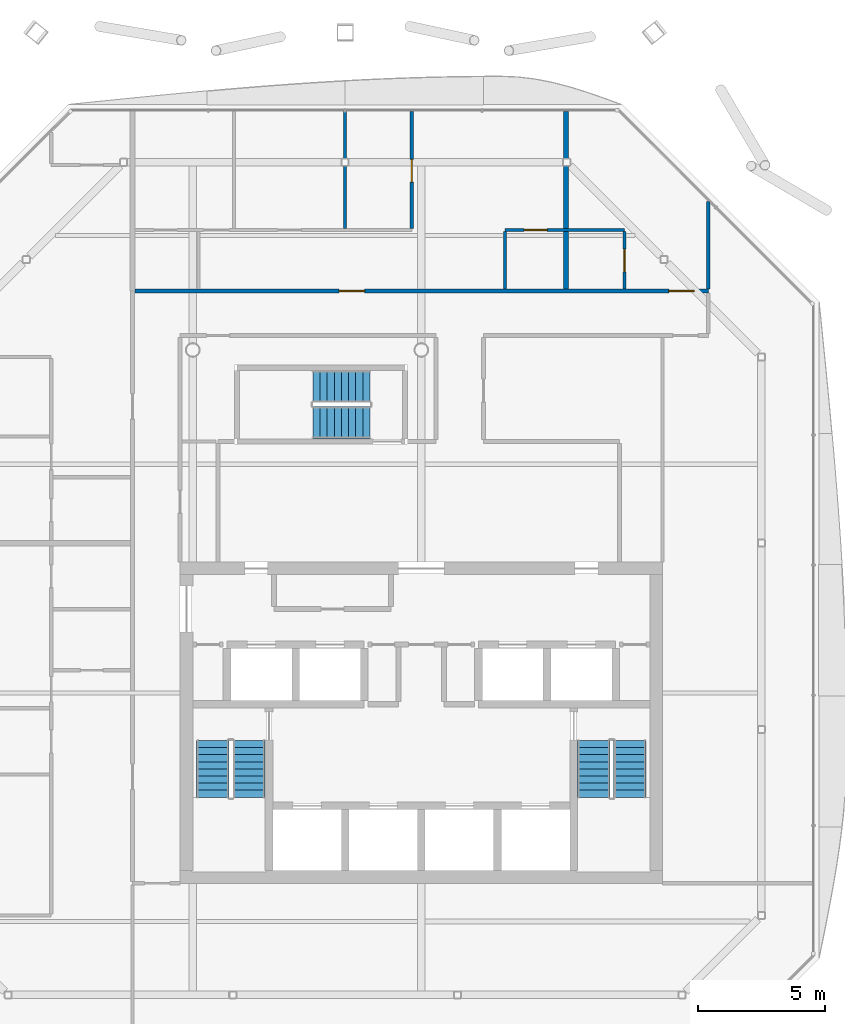
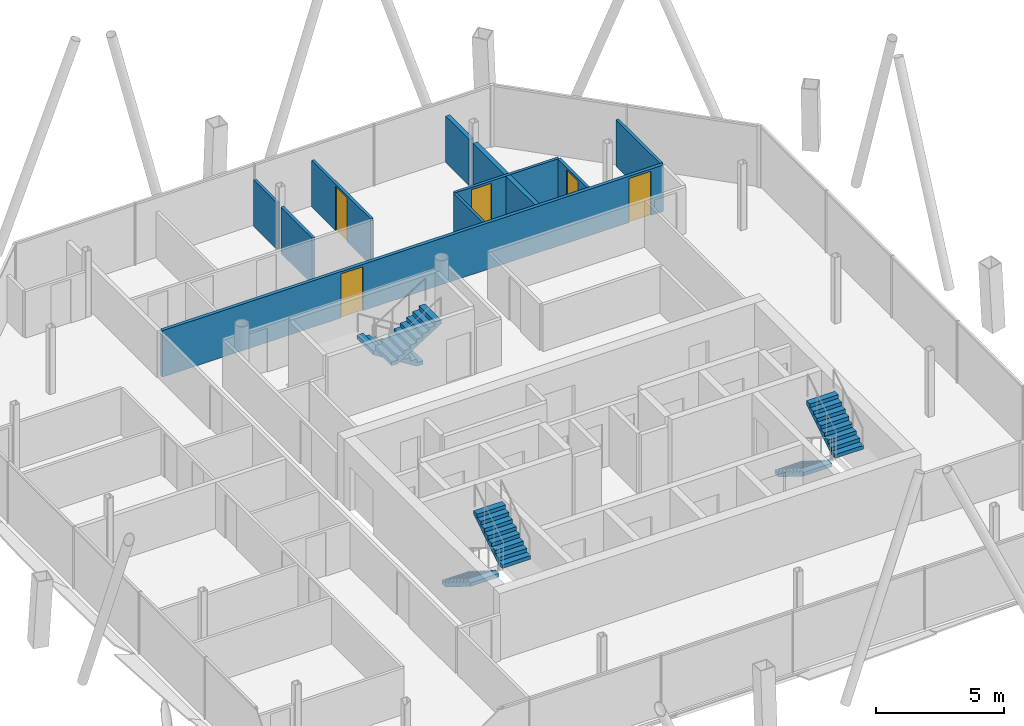
# One storey, part 14 of 17: 10 walls, 6 stair flights, 5 doors, 5 openings, 3 elements without a shape of their own.
"""IFC4 building model written with IfcOpenShell, lengths in metres."""

import ifcopenshell
import ifcopenshell.guid

model = None  # the IFC model being written
_history = None  # IfcOwnerHistory: only IFC2X3 demands one
_inside = {}  # id of a spatial element -> (the spatial element, [elements in it])
_under = {}  # id of a project, library or spatial element -> (it, [spatial elements below it])
_declared = {}  # id of a project -> (the project, [libraries it declares])
_typed = {}  # id of a type object -> (the type object, [elements of that type])
_made_of = {}  # id of a material, layer set ... -> (it, [elements and type objects made of it])


def new_model(schema):
    """Start an empty IFC model of exactly this schema.

    Asked for "IFC4X3", IfcOpenShell would pick the latest addendum, in which some entities
    have other attributes; the version numbers below select the first issue.
    IFC2X3 requires an IfcOwnerHistory on every rooted entity: one is made here for all.
    """
    global model, _history
    if schema == "IFC4X3":
        model = ifcopenshell.file(schema_version=(4, 3, 0, 0))
    else:
        model = ifcopenshell.file(schema=schema)
    _inside.clear()
    _under.clear()
    _declared.clear()
    _typed.clear()
    _made_of.clear()
    _history = None
    if model.schema == "IFC2X3":
        org = make("IfcOrganization", Name="unknown")
        user = make(
            "IfcPersonAndOrganization",
            ThePerson=make("IfcPerson", FamilyName="unknown"),
            TheOrganization=org,
        )
        app = make(
            "IfcApplication",
            ApplicationDeveloper=org,
            Version="unknown",
            ApplicationFullName="unknown",
            ApplicationIdentifier="unknown",
        )
        _history = make(
            "IfcOwnerHistory",
            OwningUser=user,
            OwningApplication=app,
            ChangeAction="ADDED",
            CreationDate=0,
        )
    return model


def make(cls, **values):
    """One entity of the class cls with the attributes given. An attribute that is None is left unset."""
    return model.create_entity(
        cls, **{name: value for name, value in values.items() if value is not None}
    )


def rooted(cls, **values):
    """An entity with a GlobalId (a new one), such as an element, a storey or a relation."""
    return make(cls, GlobalId=ifcopenshell.guid.new(), OwnerHistory=_history, **values)


def si_unit(unit_type, name, prefix=None):
    """IfcSIUnit, for example si_unit("LENGTHUNIT", "METRE", prefix="MILLI")."""
    return make("IfcSIUnit", UnitType=unit_type, Prefix=prefix, Name=name)


def assignment(units):
    """IfcUnitAssignment: the units of a project."""
    return None if units is None else make("IfcUnitAssignment", Units=units)


def point(xyz):
    """IfcCartesianPoint."""
    return None if xyz is None else make("IfcCartesianPoint", Coordinates=xyz)


def direction(xyz):
    """IfcDirection."""
    return None if xyz is None else make("IfcDirection", DirectionRatios=xyz)


def frame(location, z_axis=None, x_axis=None):
    """IfcAxis2Placement3D, a coordinate frame: its origin and axes. An axis left out is left unset."""
    return make(
        "IfcAxis2Placement3D",
        Location=point(location),
        Axis=direction(z_axis),
        RefDirection=direction(x_axis),
    )


def frame_2d(location, x_axis=None):
    """IfcAxis2Placement2D, a coordinate frame in the plane: its origin and x axis."""
    return make(
        "IfcAxis2Placement2D", Location=point(location), RefDirection=direction(x_axis)
    )


def origin():
    """The frame at (0, 0, 0) with its axes left unset."""
    return frame((0.0, 0.0, 0.0))


def place(relative_to, where):
    """IfcLocalPlacement: puts the frame where relative to a parent placement (None: the world)."""
    return make(
        "IfcLocalPlacement", PlacementRelTo=relative_to, RelativePlacement=where
    )


def context(
    kind, dimensions, precision=None, world=None, true_north=None, identifier=None
):
    """IfcGeometricRepresentationContext, for example the 3D "Model" context."""
    return make(
        "IfcGeometricRepresentationContext",
        ContextIdentifier=identifier,
        ContextType=kind,
        CoordinateSpaceDimension=dimensions,
        Precision=precision,
        WorldCoordinateSystem=world,
        TrueNorth=true_north,
    )


def subcontext(parent, identifier, kind, view, scale=None):
    """IfcGeometricRepresentationSubContext, for example "Body" below "Model"."""
    return make(
        "IfcGeometricRepresentationSubContext",
        ContextIdentifier=identifier,
        ContextType=kind,
        ParentContext=parent,
        TargetScale=scale,
        TargetView=view,
    )


def project(units=None, contexts=None):
    """IfcProject with its units and contexts."""
    return rooted(
        "IfcProject",
        Name="project",
        RepresentationContexts=contexts,
        UnitsInContext=assignment(units),
    )


def spatial(cls, under=None, at=None, **own):
    """A site, building, storey or space (cls), placed at a placement, below another one or the project."""
    s = rooted(cls, ObjectPlacement=at, **own)
    if under is not None:
        _under.setdefault(under.id(), (under, []))[1].append(s)
    return s


def polyline(points):
    """IfcPolyline through the points."""
    return make("IfcPolyline", Points=[point(p) for p in points])


def profile(cls, at=None, kind="AREA", **sizes):
    """A parametric profile (cls). Its sizes go by their IFC names, for example OverallWidth=200.0."""
    return make(cls, ProfileType=kind, Position=at, **sizes)


def rectangle(**sizes):
    """IfcRectangleProfileDef."""
    return profile("IfcRectangleProfileDef", **sizes)


def outline(outer, holes=None, kind="AREA"):
    """IfcArbitraryClosedProfileDef: a profile drawn as a closed curve; with holes, ...WithVoids."""
    if holes is None:
        return make("IfcArbitraryClosedProfileDef", ProfileType=kind, OuterCurve=outer)
    return make(
        "IfcArbitraryProfileDefWithVoids",
        ProfileType=kind,
        OuterCurve=outer,
        InnerCurves=holes,
    )


def extrude(swept, where, along, depth):
    """IfcExtrudedAreaSolid: the profile swept, set in the frame where, extruded along a direction by depth."""
    return make(
        "IfcExtrudedAreaSolid",
        SweptArea=swept,
        Position=where,
        ExtrudedDirection=direction(along),
        Depth=depth,
    )


def shape(context_of_items, identifier, shape_type, items):
    """IfcShapeRepresentation: the items that make up one representation, for example the "Body"."""
    return make(
        "IfcShapeRepresentation",
        ContextOfItems=context_of_items,
        RepresentationIdentifier=identifier,
        RepresentationType=shape_type,
        Items=items,
    )


def material(Name=None, Category=None):
    """IfcMaterial."""
    return make("IfcMaterial", Name=Name, Category=Category)


def layer(
    of_material, thickness, ventilated=None, Name=None, Category=None, Priority=None
):
    """IfcMaterialLayer: one layer of a wall or slab, of a material (None: an air gap)."""
    return make(
        "IfcMaterialLayer",
        Material=of_material,
        LayerThickness=thickness,
        IsVentilated=ventilated,
        Name=Name,
        Category=Category,
        Priority=Priority,
    )


def layer_set(layers, Name=None):
    """IfcMaterialLayerSet."""
    return make("IfcMaterialLayerSet", MaterialLayers=layers, LayerSetName=Name)


def made_of(thing, what):
    """Note that an element or type object is made of a material, layer set ...; save() writes the relation."""
    if what is not None:
        _made_of.setdefault(what.id(), (what, []))[1].append(thing)
    return thing


def type_object(cls, material=None, **own):
    """A type object (cls), such as IfcWallType, which elements share."""
    return made_of(rooted(cls, **own), material)


def element(
    cls,
    number,
    at=None,
    inside=None,
    cuts=None,
    type_object=None,
    material=None,
    context=None,
    identifier="Body",
    shape_type=None,
    held_by="IfcProductDefinitionShape",
    body=None,
    shapes=None,
    **own,
):
    """One element of the class cls, such as IfcWall. Its Tag is "e" and its number.

    at: its placement. inside: the storey or other place that contains it. cuts: it is an
    opening in that element (IfcRelVoidsElement). A single representation is given by context,
    identifier, shape_type and body (its items); several are given by shapes. held_by: the class
    of the entity that holds the representations. save() writes the other relations.
    """
    e = rooted(cls, Tag="e%d" % number, ObjectPlacement=at, **own)
    if body is not None:
        shapes = [shape(context, identifier, shape_type, body)]
    if shapes is not None:
        e.Representation = make(held_by, Representations=shapes)
    if inside is not None:
        _inside.setdefault(inside.id(), (inside, []))[1].append(e)
    if cuts is not None:
        rooted(
            "IfcRelVoidsElement", RelatingBuildingElement=cuts, RelatedOpeningElement=e
        )
    if type_object is not None:
        _typed.setdefault(type_object.id(), (type_object, []))[1].append(e)
    return made_of(e, material)


def fill(opening, filler):
    """IfcRelFillsElement: the door or window that sits in an opening."""
    return rooted(
        "IfcRelFillsElement",
        RelatingOpeningElement=opening,
        RelatedBuildingElement=filler,
    )


def aggregate(whole, parts):
    """IfcRelAggregates: a whole, such as a stair, and the parts it consists of."""
    return rooted("IfcRelAggregates", RelatingObject=whole, RelatedObjects=parts)


def save(model, path):
    """Write the relations noted so far, then the file.

    IfcRelAggregates (storeys below a building ...), IfcRelContainedInSpatialStructure (elements
    in a storey), IfcRelDefinesByType, IfcRelAssociatesMaterial and IfcRelDeclares: one each for
    every whole, place, type object, material and project.
    """
    for whole, parts in _under.values():
        aggregate(whole, parts)
    for where, things in _inside.values():
        rooted(
            "IfcRelContainedInSpatialStructure",
            RelatedElements=things,
            RelatingStructure=where,
        )
    for kind, things in _typed.values():
        rooted("IfcRelDefinesByType", RelatedObjects=things, RelatingType=kind)
    for what, things in _made_of.values():
        rooted("IfcRelAssociatesMaterial", RelatedObjects=things, RelatingMaterial=what)
    for by, libraries in _declared.values():
        rooted("IfcRelDeclares", RelatingContext=by, RelatedDefinitions=libraries)
    model.write(path)


model = new_model("IFC4")

# Units and contexts
model_context = context("Model", 3, precision=1e-05, world=origin(), true_north=direction((0.0, 1.0)))
body_context = subcontext(model_context, "Body", "Model", "MODEL_VIEW")
ifc_project = project(units=[si_unit("LENGTHUNIT", "METRE"), si_unit("AREAUNIT", "SQUARE_METRE"), si_unit("VOLUMEUNIT", "CUBIC_METRE"), si_unit("PLANEANGLEUNIT", "RADIAN"), si_unit("MASSUNIT", "GRAM", prefix="KILO")], contexts=[model_context])

# Site, building, storey
site_placement = place(None, origin())
site = spatial("IfcSite", under=ifc_project, at=site_placement, CompositionType="ELEMENT")
building_placement = place(site_placement, origin())
building = spatial("IfcBuilding", under=site, at=building_placement, Name="Tskaro Facet Tower", CompositionType="ELEMENT")
storey_placement = place(building_placement, frame((0.0, 0.0, 226.64990234375)))
storey = spatial("IfcBuildingStorey", under=building, at=storey_placement, Name="L58", CompositionType="ELEMENT", Elevation=226.64990234375)

# Wall, opening, door
ifc_material_1 = material(Name="Gypsum board on steel studs", Category="steel")
ifc_layer_1 = layer(ifc_material_1, 0.125, Name="Gypsum board on steel studs")
ifc_layer_set_1 = layer_set([ifc_layer_1], Name="Gypsum board on steel studs")
wall_type_1 = type_object("IfcWallType", Name="PART", PredefinedType="PARTITIONING", material=ifc_layer_set_1)
wall_1_placement = place(storey_placement, frame((8.0, 13.72509765625, 0.0), z_axis=(0.0, 0.0, 1.0), x_axis=(-1.0, 0.0, 0.0)))
wall_1 = element("IfcWall", 1, at=wall_1_placement, inside=storey, type_object=wall_type_1, Name="Partition W036", PredefinedType="PARTITIONING", context=body_context, shape_type="SweptSolid", body=[
    extrude(rectangle(XDim=4.699951171875, YDim=0.125, at=frame_2d((2.35009765625, 0.0))), origin(), (0.0, 0.0, 1.0), 2.210205078125),
])
opening_1_placement = place(wall_1_placement, frame((3.050048828125, 0.0, 0.0)))
opening_1 = element("IfcOpeningElement", 2, at=opening_1_placement, cuts=wall_1, Name="Opening T17-D31", PredefinedType="OPENING", context=body_context, shape_type="SweptSolid", body=[
    extrude(rectangle(XDim=0.89990234375, YDim=2.10009765625, at=frame_2d((0.449951171875, 1.050048828125))), frame((0.0, 0.072509765625, 0.0), z_axis=(0.0, -1.0, 0.0), x_axis=(1.0, 0.0, 0.0)), (0.0, 0.0, 1.0), 0.14501953125),
])
ifc_material_2 = material(Name="Timber", Category="wood")
door_type_1 = type_object("IfcDoorType", Name="D-ROOM", OperationType="NOTDEFINED", PredefinedType="DOOR", material=ifc_material_2)
door_1_placement = place(opening_1_placement, origin())
door_1 = element("IfcDoor", 3, at=door_1_placement, inside=storey, type_object=door_type_1, Name="Door T17-D31", OperationType="SINGLE_SWING_RIGHT", OverallHeight=2.10009765625, OverallWidth=0.89990234375, PredefinedType="DOOR", context=body_context, shape_type="SweptSolid", body=[
    extrude(rectangle(XDim=0.89990234375, YDim=2.10009765625, at=frame_2d((0.449951171875, 1.050048828125))), frame((0.0, 0.02490234375, 0.0), z_axis=(0.0, -1.0, 0.0), x_axis=(1.0, 0.0, 0.0)), (0.0, 0.0, 1.0), 0.050048828125),
])
fill(opening_1, door_1)

# Walls
wall_2_placement = place(storey_placement, frame((-3.0, 13.78759765625, 0.0), z_axis=(0.0, 0.0, 1.0), x_axis=(0.0, 1.0, 0.0)))
element("IfcWall", 4, at=wall_2_placement, inside=storey, type_object=wall_type_1, Name="Partition W053", PredefinedType="PARTITIONING", context=body_context, shape_type="SweptSolid", body=[
    extrude(rectangle(XDim=2.453369140625, YDim=0.125, at=frame_2d((1.2265625, 0.0))), origin(), (0.0, 0.0, 1.0), 2.210205078125),
])
wall_3_placement = place(storey_placement, frame((-3.0, 16.541015625, 0.0), z_axis=(0.0, 0.0, 1.0), x_axis=(0.0, 1.0, 0.0)))
element("IfcWall", 5, at=wall_3_placement, inside=storey, type_object=wall_type_1, Name="Partition W054", PredefinedType="PARTITIONING", context=body_context, shape_type="SweptSolid", body=[
    extrude(rectangle(XDim=1.843994140625, YDim=0.125, at=frame_2d((0.921875, 0.0))), origin(), (0.0, 0.0, 1.0), 2.210205078125),
])

# Wall, opening, door
wall_4_placement = place(storey_placement, frame((-0.375, 13.78759765625, 0.0), z_axis=(0.0, 0.0, 1.0), x_axis=(0.0, 1.0, 0.0)))
wall_4 = element("IfcWall", 6, at=wall_4_placement, inside=storey, type_object=wall_type_1, Name="Partition W059", PredefinedType="PARTITIONING", context=body_context, shape_type="SweptSolid", body=[
    extrude(rectangle(XDim=4.597412109375, YDim=0.125, at=frame_2d((2.298828125, 0.0))), origin(), (0.0, 0.0, 1.0), 2.210205078125),
])
opening_2_placement = place(wall_4_placement, frame((1.8173828125, 0.0, 0.0)))
opening_2 = element("IfcOpeningElement", 7, at=opening_2_placement, cuts=wall_4, Name="Opening T17-D32", PredefinedType="OPENING", context=body_context, shape_type="SweptSolid", body=[
    extrude(rectangle(XDim=0.89990234375, YDim=2.10009765625, at=frame_2d((0.449951171875, 1.050048828125))), frame((0.0, 0.072509765625, 0.0), z_axis=(0.0, -1.0, 0.0), x_axis=(1.0, 0.0, 0.0)), (0.0, 0.0, 1.0), 0.14501953125),
])
door_2_placement = place(opening_2_placement, origin())
door_2 = element("IfcDoor", 8, at=door_2_placement, inside=storey, type_object=door_type_1, Name="Door T17-D32", OperationType="SINGLE_SWING_LEFT", OverallHeight=2.10009765625, OverallWidth=0.89990234375, PredefinedType="DOOR", context=body_context, shape_type="SweptSolid", body=[
    extrude(rectangle(XDim=0.89990234375, YDim=2.10009765625, at=frame_2d((0.449951171875, 1.050048828125))), frame((0.0, 0.02490234375, 0.0), z_axis=(0.0, -1.0, 0.0), x_axis=(1.0, 0.0, 0.0)), (0.0, 0.0, 1.0), 0.050048828125),
])
fill(opening_2, door_2)

# Wall
wall_5_placement = place(storey_placement, frame((3.300048828125, 11.39990234375, 0.0), z_axis=(0.0, 0.0, 1.0), x_axis=(0.0, 1.0, 0.0)))
element("IfcWall", 9, at=wall_5_placement, inside=storey, type_object=wall_type_1, Name="Partition W066", PredefinedType="PARTITIONING", context=body_context, shape_type="SweptSolid", body=[
    extrude(rectangle(XDim=2.2626953125, YDim=0.125, at=frame_2d((1.13134765625, 0.0))), origin(), (0.0, 0.0, 1.0), 2.210205078125),
])

# Wall, opening, door
wall_6_placement = place(storey_placement, frame((8.0, 11.39990234375, 0.0), z_axis=(0.0, 0.0, 1.0), x_axis=(0.0, 1.0, 0.0)))
wall_6 = element("IfcWall", 10, at=wall_6_placement, inside=storey, type_object=wall_type_1, Name="Partition W073", PredefinedType="PARTITIONING", context=body_context, shape_type="SweptSolid", body=[
    extrude(rectangle(XDim=2.2626953125, YDim=0.125, at=frame_2d((1.13134765625, 0.0))), origin(), (0.0, 0.0, 1.0), 2.210205078125),
])
opening_3_placement = place(wall_6_placement, frame((0.675048828125, 0.0, 0.0)))
opening_3 = element("IfcOpeningElement", 11, at=opening_3_placement, cuts=wall_6, Name="Opening T17-D27", PredefinedType="OPENING", context=body_context, shape_type="SweptSolid", body=[
    extrude(rectangle(XDim=0.89990234375, YDim=2.10009765625, at=frame_2d((0.449951171875, 1.050048828125))), frame((0.0, 0.072509765625, 0.0), z_axis=(0.0, -1.0, 0.0), x_axis=(1.0, 0.0, 0.0)), (0.0, 0.0, 1.0), 0.14501953125),
])
door_3_placement = place(opening_3_placement, origin())
door_3 = element("IfcDoor", 12, at=door_3_placement, inside=storey, type_object=door_type_1, Name="Door T17-D27", OperationType="SINGLE_SWING_LEFT", OverallHeight=2.10009765625, OverallWidth=0.89990234375, PredefinedType="DOOR", context=body_context, shape_type="SweptSolid", body=[
    extrude(rectangle(XDim=0.89990234375, YDim=2.10009765625, at=frame_2d((0.449951171875, 1.050048828125))), frame((0.0, 0.02490234375, 0.0), z_axis=(0.0, -1.0, 0.0), x_axis=(1.0, 0.0, 0.0)), (0.0, 0.0, 1.0), 0.050048828125),
])
fill(opening_3, door_3)

# Wall
wall_7_placement = place(storey_placement, frame((11.300048828125, 11.39990234375, 0.0), z_axis=(0.0, 0.0, 1.0), x_axis=(0.0, 1.0, 0.0)))
element("IfcWall", 13, at=wall_7_placement, inside=storey, type_object=wall_type_1, Name="Partition W076", PredefinedType="PARTITIONING", context=body_context, shape_type="SweptSolid", body=[
    extrude(rectangle(XDim=3.446044921875, YDim=0.125, at=frame_2d((1.72314453125, 0.0))), origin(), (0.0, 0.0, 1.0), 2.210205078125),
])

# Wall, openings, doors
ifc_layer_2 = layer(ifc_material_1, 0.14990234375, Name="Gypsum board on steel studs")
ifc_layer_set_2 = layer_set([ifc_layer_2], Name="Gypsum board on steel studs")
wall_type_2 = type_object("IfcWallType", Name="PART-CORR", PredefinedType="PARTITIONING", material=ifc_layer_set_2)
wall_8_placement = place(storey_placement, frame((-11.27490234375, 11.324951171875, 0.0), z_axis=(0.0, 0.0, 1.0), x_axis=(1.0, 0.0, 0.0)))
wall_8 = element("IfcWall", 14, at=wall_8_placement, inside=storey, type_object=wall_type_2, Name="Corridor wall W034", PredefinedType="PARTITIONING", context=body_context, shape_type="SweptSolid", body=[
    extrude(rectangle(XDim=22.574951171875, YDim=0.14990234375, at=frame_2d((11.28759765625, 0.0))), origin(), (0.0, 0.0, 1.0), 2.210205078125),
])
opening_4_placement = place(wall_8_placement, frame((8.03759765625, 0.0, 0.0)))
opening_4 = element("IfcOpeningElement", 15, at=opening_4_placement, cuts=wall_8, Name="Opening T17-D25", PredefinedType="OPENING", context=body_context, shape_type="SweptSolid", body=[
    extrude(rectangle(XDim=1.0, YDim=2.10009765625, at=frame_2d((0.5, 1.050048828125))), frame((0.0, 0.0849609375, 0.0), z_axis=(0.0, -1.0, 0.0), x_axis=(1.0, 0.0, 0.0)), (0.0, 0.0, 1.0), 0.169921875),
])
opening_5_placement = place(wall_8_placement, frame((21.02490234375, 0.0, 0.0)))
opening_5 = element("IfcOpeningElement", 16, at=opening_5_placement, cuts=wall_8, Name="Opening T17-D26", PredefinedType="OPENING", context=body_context, shape_type="SweptSolid", body=[
    extrude(rectangle(XDim=1.0, YDim=2.10009765625, at=frame_2d((0.5, 1.050048828125))), frame((0.0, 0.0849609375, 0.0), z_axis=(0.0, -1.0, 0.0), x_axis=(1.0, 0.0, 0.0)), (0.0, 0.0, 1.0), 0.169921875),
])
door_type_2 = type_object("IfcDoorType", Name="D-FLAT-ENTRY", OperationType="NOTDEFINED", PredefinedType="DOOR", material=ifc_material_2)
door_4_placement = place(opening_4_placement, origin())
door_4 = element("IfcDoor", 17, at=door_4_placement, inside=storey, type_object=door_type_2, Name="Door T17-D25", OperationType="SINGLE_SWING_LEFT", OverallHeight=2.10009765625, OverallWidth=1.0, PredefinedType="DOOR", context=body_context, shape_type="SweptSolid", body=[
    extrude(rectangle(XDim=1.0, YDim=2.10009765625, at=frame_2d((0.5, 1.050048828125))), frame((0.0, 0.02490234375, 0.0), z_axis=(0.0, -1.0, 0.0), x_axis=(1.0, 0.0, 0.0)), (0.0, 0.0, 1.0), 0.050048828125),
])
fill(opening_4, door_4)
door_5_placement = place(opening_5_placement, origin())
door_5 = element("IfcDoor", 18, at=door_5_placement, inside=storey, type_object=door_type_2, Name="Door T17-D26", OperationType="SINGLE_SWING_LEFT", OverallHeight=2.10009765625, OverallWidth=1.0, PredefinedType="DOOR", context=body_context, shape_type="SweptSolid", body=[
    extrude(rectangle(XDim=1.0, YDim=2.10009765625, at=frame_2d((0.5, 1.050048828125))), frame((0.0, 0.02490234375, 0.0), z_axis=(0.0, -1.0, 0.0), x_axis=(1.0, 0.0, 0.0)), (0.0, 0.0, 1.0), 0.050048828125),
])
fill(opening_5, door_5)

# Walls
ifc_layer_3 = layer(ifc_material_1, 0.199951171875, Name="Gypsum board on steel studs")
ifc_layer_set_3 = layer_set([ifc_layer_3], Name="Gypsum board on steel studs")
wall_type_3 = type_object("IfcWallType", Name="PART-DEMISING", PredefinedType="PARTITIONING", material=ifc_layer_set_3)
wall_9_placement = place(storey_placement, frame((5.699951171875, 11.39990234375, 0.0), z_axis=(0.0, 0.0, 1.0), x_axis=(0.0, 1.0, 0.0)))
element("IfcWall", 19, at=wall_9_placement, inside=storey, type_object=wall_type_3, Name="Guest room wall W068", PredefinedType="PARTITIONING", context=body_context, shape_type="SweptSolid", body=[
    extrude(rectangle(XDim=4.841064453125, YDim=0.199951171875, at=frame_2d((2.42041015625, 0.0))), origin(), (0.0, 0.0, 1.0), 2.210205078125),
])
wall_10_placement = place(storey_placement, frame((5.699951171875, 16.541015625, 0.0), z_axis=(0.0, 0.0, 1.0), x_axis=(0.0, 1.0, 0.0)))
element("IfcWall", 20, at=wall_10_placement, inside=storey, type_object=wall_type_3, Name="Guest room wall W069", PredefinedType="PARTITIONING", context=body_context, shape_type="SweptSolid", body=[
    extrude(rectangle(XDim=1.843994140625, YDim=0.199951171875, at=frame_2d((0.921875, 0.0))), origin(), (0.0, 0.0, 1.0), 2.210205078125),
])

# Stair, stair flights
ifc_material_3 = material(Name="Concrete C40/50", Category="concrete")
stair_type = type_object("IfcStairType", Name="ST-TWR", PredefinedType="HALF_TURN_STAIR", material=ifc_material_3)
stair_1_placement = place(storey_placement, origin())
stair_1 = element("IfcStair", 21, at=stair_1_placement, inside=storey, type_object=stair_type, Name="L58 Exit stair 1", PredefinedType="HALF_TURN_STAIR")
stair_flight_type = type_object("IfcStairFlightType", Name="SFL-RC", PredefinedType="STRAIGHT", material=ifc_material_3)
stair_flight_1_placement = place(storey_placement, frame((-8.21240234375, -6.375, 0.0), z_axis=(0.0, 0.0, 1.0), x_axis=(0.0, -1.0, 0.0)))
stair_flight_1 = element("IfcStairFlight", 22, at=stair_flight_1_placement, type_object=stair_flight_type, Name="ST-1 flight 1", NumberOfRisers=9, NumberOfTreads=8, PredefinedType="STRAIGHT", RiserHeight=0.175, TreadLength=0.28, context=body_context, shape_type="SweptSolid", body=[
    extrude(outline(polyline([(0.0, 0.0), (0.0, 0.175048828125), (0.280029296875, 0.175048828125), (0.280029296875, 0.35009765625), (0.56005859375, 0.35009765625), (0.56005859375, 0.52490234375), (0.840087890625, 0.52490234375), (0.840087890625, 0.699951171875), (1.1201171875, 0.699951171875), (1.1201171875, 0.875), (1.39990234375, 0.875), (1.39990234375, 1.050048828125), (1.679931640625, 1.050048828125), (1.679931640625, 1.22509765625), (1.9599609375, 1.22509765625), (1.9599609375, 1.39990234375), (2.239990234375, 1.39990234375), (2.239990234375, 1.574951171875), (2.239990234375, 1.22314453125), (0.28271484375, 0.0), (0.0, 0.0)])), frame((0.0, 0.637451171875, 0.0), z_axis=(0.0, -1.0, 0.0), x_axis=(1.0, 0.0, 0.0)), (0.0, 0.0, 1.0), 1.27490234375),
])
stair_flight_2_placement = place(storey_placement, frame((-6.78759765625, -8.614990234375, 1.5751953125), z_axis=(0.0, 0.0, 1.0), x_axis=(0.0, 1.0, 0.0)))
stair_flight_2 = element("IfcStairFlight", 23, at=stair_flight_2_placement, type_object=stair_flight_type, Name="ST-1 flight 2", NumberOfRisers=9, NumberOfTreads=8, PredefinedType="STRAIGHT", RiserHeight=0.175, TreadLength=0.28, context=body_context, shape_type="SweptSolid", body=[
    extrude(outline(polyline([(0.0, 0.0), (0.0, 0.175048828125), (0.280029296875, 0.175048828125), (0.280029296875, 0.35009765625), (0.56005859375, 0.35009765625), (0.56005859375, 0.52490234375), (0.840087890625, 0.52490234375), (0.840087890625, 0.699951171875), (1.1201171875, 0.699951171875), (1.1201171875, 0.875), (1.39990234375, 0.875), (1.39990234375, 1.050048828125), (1.679931640625, 1.050048828125), (1.679931640625, 1.22509765625), (1.9599609375, 1.22509765625), (1.9599609375, 1.39990234375), (2.239990234375, 1.39990234375), (2.239990234375, 1.574951171875), (2.239990234375, 1.22314453125), (0.28271484375, 0.0), (0.0, 0.0)])), frame((0.0, 0.637451171875, 0.0), z_axis=(0.0, -1.0, 0.0), x_axis=(1.0, 0.0, 0.0)), (0.0, 0.0, 1.0), 1.27490234375),
])
aggregate(stair_1, [stair_flight_1, stair_flight_2])

stair_2_placement = place(storey_placement, origin())
stair_2 = element("IfcStair", 24, at=stair_2_placement, inside=storey, type_object=stair_type, Name="L58 Exit stair 2", PredefinedType="HALF_TURN_STAIR")
stair_flight_3_placement = place(storey_placement, frame((6.78759765625, -6.375, 0.0), z_axis=(0.0, 0.0, 1.0), x_axis=(0.0, -1.0, 0.0)))
stair_flight_3 = element("IfcStairFlight", 25, at=stair_flight_3_placement, type_object=stair_flight_type, Name="ST-2 flight 1", NumberOfRisers=9, NumberOfTreads=8, PredefinedType="STRAIGHT", RiserHeight=0.175, TreadLength=0.28, context=body_context, shape_type="SweptSolid", body=[
    extrude(outline(polyline([(0.0, 0.0), (0.0, 0.175048828125), (0.280029296875, 0.175048828125), (0.280029296875, 0.35009765625), (0.56005859375, 0.35009765625), (0.56005859375, 0.52490234375), (0.840087890625, 0.52490234375), (0.840087890625, 0.699951171875), (1.1201171875, 0.699951171875), (1.1201171875, 0.875), (1.39990234375, 0.875), (1.39990234375, 1.050048828125), (1.679931640625, 1.050048828125), (1.679931640625, 1.22509765625), (1.9599609375, 1.22509765625), (1.9599609375, 1.39990234375), (2.239990234375, 1.39990234375), (2.239990234375, 1.574951171875), (2.239990234375, 1.22314453125), (0.28271484375, 0.0), (0.0, 0.0)])), frame((0.0, 0.637451171875, 0.0), z_axis=(0.0, -1.0, 0.0), x_axis=(1.0, 0.0, 0.0)), (0.0, 0.0, 1.0), 1.27490234375),
])
stair_flight_4_placement = place(storey_placement, frame((8.21240234375, -8.614990234375, 1.5751953125), z_axis=(0.0, 0.0, 1.0), x_axis=(0.0, 1.0, 0.0)))
stair_flight_4 = element("IfcStairFlight", 26, at=stair_flight_4_placement, type_object=stair_flight_type, Name="ST-2 flight 2", NumberOfRisers=9, NumberOfTreads=8, PredefinedType="STRAIGHT", RiserHeight=0.175, TreadLength=0.28, context=body_context, shape_type="SweptSolid", body=[
    extrude(outline(polyline([(0.0, 0.0), (0.0, 0.175048828125), (0.280029296875, 0.175048828125), (0.280029296875, 0.35009765625), (0.56005859375, 0.35009765625), (0.56005859375, 0.52490234375), (0.840087890625, 0.52490234375), (0.840087890625, 0.699951171875), (1.1201171875, 0.699951171875), (1.1201171875, 0.875), (1.39990234375, 0.875), (1.39990234375, 1.050048828125), (1.679931640625, 1.050048828125), (1.679931640625, 1.22509765625), (1.9599609375, 1.22509765625), (1.9599609375, 1.39990234375), (2.239990234375, 1.39990234375), (2.239990234375, 1.574951171875), (2.239990234375, 1.22314453125), (0.28271484375, 0.0), (0.0, 0.0)])), frame((0.0, 0.637451171875, 0.0), z_axis=(0.0, -1.0, 0.0), x_axis=(1.0, 0.0, 0.0)), (0.0, 0.0, 1.0), 1.27490234375),
])
aggregate(stair_2, [stair_flight_3, stair_flight_4])

stair_3_placement = place(storey_placement, origin())
stair_3 = element("IfcStair", 27, at=stair_3_placement, inside=storey, type_object=stair_type, Name="L58 Exit stair 3", PredefinedType="HALF_TURN_STAIR")
stair_flight_5_placement = place(storey_placement, frame((-2.02490234375, 7.5625, 0.0), z_axis=(0.0, 0.0, 1.0), x_axis=(-1.0, 0.0, 0.0)))
stair_flight_5 = element("IfcStairFlight", 28, at=stair_flight_5_placement, type_object=stair_flight_type, Name="ST-3 flight 1", NumberOfRisers=9, NumberOfTreads=8, PredefinedType="STRAIGHT", RiserHeight=0.175, TreadLength=0.28, context=body_context, shape_type="SweptSolid", body=[
    extrude(outline(polyline([(0.0, 0.0), (0.0, 0.175048828125), (0.280029296875, 0.175048828125), (0.280029296875, 0.35009765625), (0.56005859375, 0.35009765625), (0.56005859375, 0.52490234375), (0.840087890625, 0.52490234375), (0.840087890625, 0.699951171875), (1.1201171875, 0.699951171875), (1.1201171875, 0.875), (1.39990234375, 0.875), (1.39990234375, 1.050048828125), (1.679931640625, 1.050048828125), (1.679931640625, 1.22509765625), (1.9599609375, 1.22509765625), (1.9599609375, 1.39990234375), (2.239990234375, 1.39990234375), (2.239990234375, 1.574951171875), (2.239990234375, 1.22314453125), (0.28271484375, 0.0), (0.0, 0.0)])), frame((0.0, 0.637451171875, 0.0), z_axis=(0.0, -1.0, 0.0), x_axis=(1.0, 0.0, 0.0)), (0.0, 0.0, 1.0), 1.27490234375),
])
stair_flight_6_placement = place(storey_placement, frame((-4.264892578125, 6.137451171875, 1.5751953125), z_axis=(0.0, 0.0, 1.0), x_axis=(1.0, 0.0, 0.0)))
stair_flight_6 = element("IfcStairFlight", 29, at=stair_flight_6_placement, type_object=stair_flight_type, Name="ST-3 flight 2", NumberOfRisers=9, NumberOfTreads=8, PredefinedType="STRAIGHT", RiserHeight=0.175, TreadLength=0.28, context=body_context, shape_type="SweptSolid", body=[
    extrude(outline(polyline([(0.0, 0.0), (0.0, 0.175048828125), (0.280029296875, 0.175048828125), (0.280029296875, 0.35009765625), (0.56005859375, 0.35009765625), (0.56005859375, 0.52490234375), (0.840087890625, 0.52490234375), (0.840087890625, 0.699951171875), (1.1201171875, 0.699951171875), (1.1201171875, 0.875), (1.39990234375, 0.875), (1.39990234375, 1.050048828125), (1.679931640625, 1.050048828125), (1.679931640625, 1.22509765625), (1.9599609375, 1.22509765625), (1.9599609375, 1.39990234375), (2.239990234375, 1.39990234375), (2.239990234375, 1.574951171875), (2.239990234375, 1.22314453125), (0.28271484375, 0.0), (0.0, 0.0)])), frame((0.0, 0.637451171875, 0.0), z_axis=(0.0, -1.0, 0.0), x_axis=(1.0, 0.0, 0.0)), (0.0, 0.0, 1.0), 1.27490234375),
])
aggregate(stair_3, [stair_flight_5, stair_flight_6])

save(model, "model.ifc")
